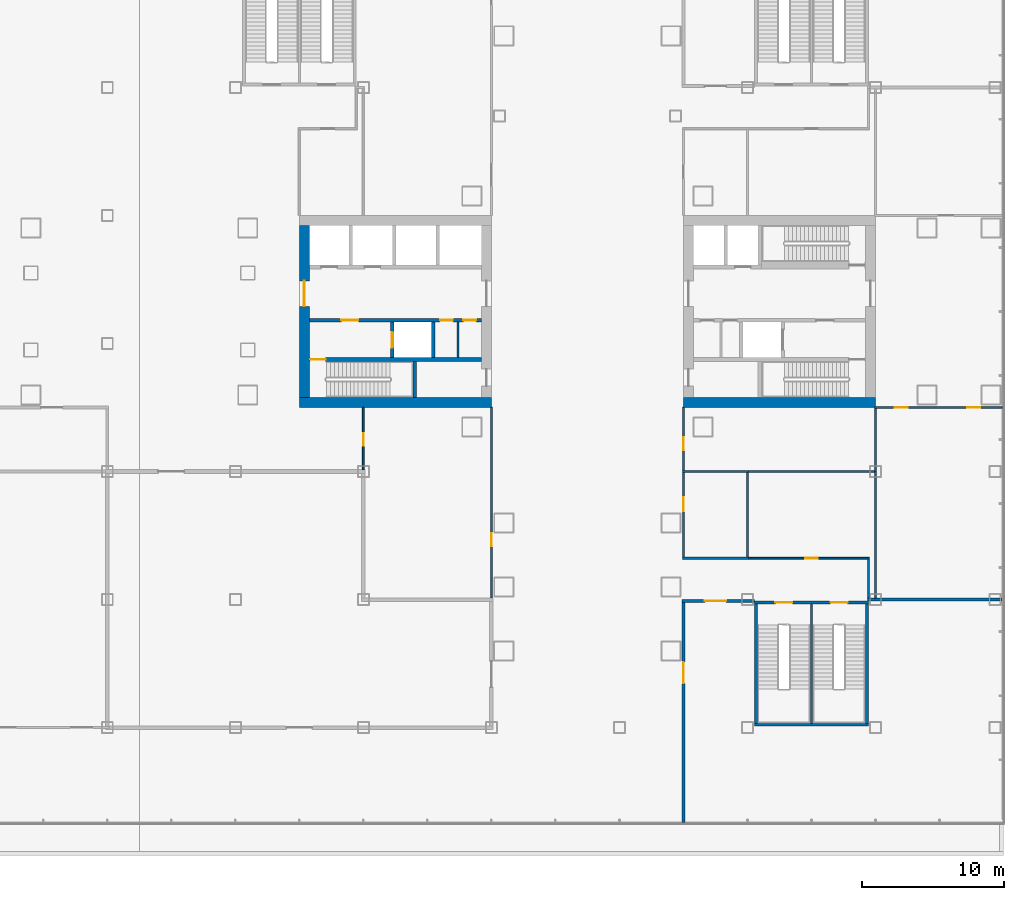
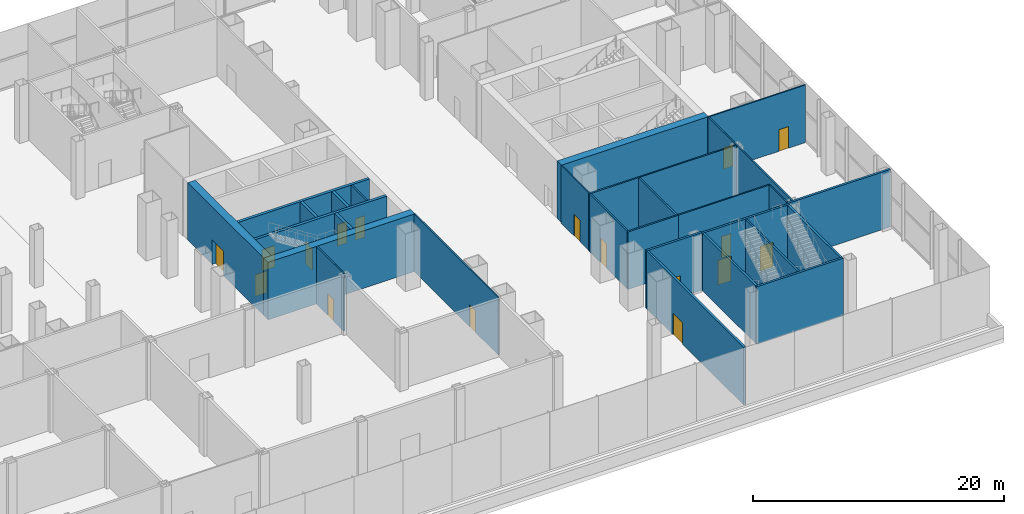
# One storey, part 27 of 38: 29 walls, 17 doors, 17 openings.
"""IFC4 building model written with IfcOpenShell, lengths in metres."""

from ifc_helpers import new_model, si_unit, direction, frame, frame_2d, origin, place, context, subcontext, project, spatial, rectangle, extrude, material, layer, layer_set, type_object, element, fill, save


model = new_model("IFC4")

# Units and contexts
model_context = context("Model", 3, precision=1e-05, world=origin(), true_north=direction((0.0, 1.0)))
body_context = subcontext(model_context, "Body", "Model", "MODEL_VIEW")
ifc_project = project(units=[si_unit("LENGTHUNIT", "METRE"), si_unit("AREAUNIT", "SQUARE_METRE"), si_unit("VOLUMEUNIT", "CUBIC_METRE"), si_unit("PLANEANGLEUNIT", "RADIAN"), si_unit("MASSUNIT", "GRAM", prefix="KILO")], contexts=[model_context])

# Site, building, storey
site_placement = place(None, origin())
site = spatial("IfcSite", under=ifc_project, at=site_placement, CompositionType="ELEMENT")
building_placement = place(site_placement, origin())
building = spatial("IfcBuilding", under=site, at=building_placement, Name="Shamsa Quay Exchange Towers", CompositionType="ELEMENT")
storey_placement = place(building_placement, frame((0.0, 0.0, 12.5)))
storey = spatial("IfcBuildingStorey", under=building, at=storey_placement, Name="L02", CompositionType="ELEMENT", Elevation=12.5)

# Wall, opening, door
ifc_material_1 = material(Name="Double-leaf gypsum board partition with acoustic insulation")
ifc_layer_1 = layer(ifc_material_1, 0.199951171875)
ifc_layer_set_1 = layer_set([ifc_layer_1], Name="Acoustic partition 200 mm EI 60")
wall_type_1 = type_object("IfcWallType", Name="Acoustic partition 200 mm EI 60", PredefinedType="PARTITIONING", material=ifc_layer_set_1)
wall_1_placement = place(storey_placement, frame((40.5, -35.905029296875, 0.0), z_axis=(0.0, 0.0, 1.0), x_axis=(0.0, 1.0, 0.0)))
wall_1 = element("IfcWall", 1, at=wall_1_placement, inside=storey, type_object=wall_type_1, Name="Partition PD-L02-W11", PredefinedType="PARTITIONING", context=body_context, shape_type="SweptSolid", body=[
    extrude(rectangle(XDim=15.455322265625, YDim=0.199951171875, at=frame_2d((7.7275390625, 0.0))), origin(), (0.0, 0.0, 1.0), 5.60009765625),
])
opening_1_placement = place(wall_1_placement, frame((9.755126953125, 0.0, 0.0)))
opening_1 = element("IfcOpeningElement", 2, at=opening_1_placement, cuts=wall_1, Name="Opening PD-L02-D40", PredefinedType="OPENING", context=body_context, shape_type="SweptSolid", body=[
    extrude(rectangle(XDim=1.5, YDim=2.10009765625, at=frame_2d((0.75, 1.050048828125))), frame((0.0, 0.10986328125, 0.0), z_axis=(0.0, -1.0, 0.0), x_axis=(1.0, 0.0, 0.0)), (0.0, 0.0, 1.0), 0.219970703125),
])
ifc_material_2 = material(Name="Timber door leaf in a metal frame", Category="wood")
door_type_1 = type_object("IfcDoorType", Name="Door 1500x2100 FD30S pair", OperationType="NOTDEFINED", PredefinedType="DOOR", material=ifc_material_2)
door_1_placement = place(opening_1_placement, origin())
door_1 = element("IfcDoor", 3, at=door_1_placement, inside=storey, type_object=door_type_1, Name="Door PD-L02-D40", OperationType="DOUBLE_DOOR_SINGLE_SWING", OverallHeight=2.10009765625, OverallWidth=1.5, PredefinedType="DOOR", context=body_context, shape_type="SweptSolid", body=[
    extrude(rectangle(XDim=1.5, YDim=2.10009765625, at=frame_2d((0.75, 1.050048828125))), frame((0.0, 0.02490234375, 0.0), z_axis=(0.0, -1.0, 0.0), x_axis=(1.0, 0.0, 0.0)), (0.0, 0.0, 1.0), 0.050048828125),
])
fill(opening_1, door_1)

wall_2_placement = place(storey_placement, frame((40.39990234375, -20.349609375, 0.0)))
wall_2 = element("IfcWall", 4, at=wall_2_placement, inside=storey, type_object=wall_type_1, Name="Partition PD-L02-W54", PredefinedType="PARTITIONING", context=body_context, shape_type="SweptSolid", body=[
    extrude(rectangle(XDim=5.10009765625, YDim=0.199951171875, at=frame_2d((2.550048828125, 0.0))), origin(), (0.0, 0.0, 1.0), 5.60009765625),
])
opening_2_placement = place(wall_2_placement, frame((1.60009765625, 0.0, 0.0)))
opening_2 = element("IfcOpeningElement", 5, at=opening_2_placement, cuts=wall_2, Name="Opening PD-L02-D41", PredefinedType="OPENING", context=body_context, shape_type="SweptSolid", body=[
    extrude(rectangle(XDim=1.5, YDim=2.10009765625, at=frame_2d((0.75, 1.050048828125))), frame((0.0, 0.10986328125, 0.0), z_axis=(0.0, -1.0, 0.0), x_axis=(1.0, 0.0, 0.0)), (0.0, 0.0, 1.0), 0.219970703125),
])
door_2_placement = place(opening_2_placement, origin())
door_2 = element("IfcDoor", 6, at=door_2_placement, inside=storey, type_object=door_type_1, Name="Door PD-L02-D41", OperationType="DOUBLE_DOOR_SINGLE_SWING", OverallHeight=2.10009765625, OverallWidth=1.5, PredefinedType="DOOR", context=body_context, shape_type="SweptSolid", body=[
    extrude(rectangle(XDim=1.5, YDim=2.10009765625, at=frame_2d((0.75, 1.050048828125))), frame((0.0, 0.02490234375, 0.0), z_axis=(0.0, -1.0, 0.0), x_axis=(1.0, 0.0, 0.0)), (0.0, 0.0, 1.0), 0.050048828125),
])
fill(opening_2, door_2)

# Walls
wall_3_placement = place(storey_placement, frame((62.905029296875, -20.25, 0.0), z_axis=(0.0, 0.0, 1.0), x_axis=(-1.0, 0.0, 0.0)))
element("IfcWall", 7, at=wall_3_placement, inside=storey, type_object=wall_type_1, Name="Partition PD-L02-W66", PredefinedType="PARTITIONING", context=body_context, shape_type="SweptSolid", body=[
    extrude(rectangle(XDim=9.467529296875, YDim=0.199951171875, at=frame_2d((4.73388671875, 0.0))), origin(), (0.0, 0.0, 1.0), 5.60009765625),
])
ifc_material_3 = material(Name="Concrete C80/95", Category="concrete")
ifc_layer_2 = layer(ifc_material_3, 0.699951171875)
ifc_layer_set_2 = layer_set([ifc_layer_2], Name="CORE WALL 700 C80/95")
wall_type_2 = type_object("IfcWallType", Name="CORE WALL 700 C80/95", PredefinedType="SHEAR", material=ifc_layer_set_2)
wall_4_placement = place(storey_placement, frame((13.5, -6.39990234375, 0.0)))
element("IfcWall", 8, at=wall_4_placement, inside=storey, type_object=wall_type_2, Name="Core wall T2A-L02-PS", PredefinedType="SHEAR", context=body_context, shape_type="SweptSolid", body=[
    extrude(rectangle(XDim=13.5, YDim=0.699951171875, at=frame_2d((6.75, 0.0))), origin(), (0.0, 0.0, 1.0), 5.60009765625),
])

# Wall, opening, door
wall_5_placement = place(storey_placement, frame((13.85009765625, 6.050048828125, 0.0), z_axis=(0.0, 0.0, 1.0), x_axis=(0.0, -1.0, 0.0)))
wall_5 = element("IfcWall", 9, at=wall_5_placement, inside=storey, type_object=wall_type_2, Name="Core wall T2A-L02-PF", PredefinedType="SHEAR", context=body_context, shape_type="SweptSolid", body=[
    extrude(rectangle(XDim=12.10009765625, YDim=0.699951171875, at=frame_2d((6.050048828125, 0.0))), origin(), (0.0, 0.0, 1.0), 5.60009765625),
])
opening_3_placement = place(wall_5_placement, frame((3.89990234375, 0.0, 0.0)))
opening_3 = element("IfcOpeningElement", 10, at=opening_3_placement, cuts=wall_5, Name="Opening T2A-L02-LBD01", PredefinedType="OPENING", context=body_context, shape_type="SweptSolid", body=[
    extrude(rectangle(XDim=1.800048828125, YDim=2.39990234375, at=frame_2d((0.89990234375, 1.199951171875))), frame((0.0, 0.35986328125, 0.0), z_axis=(0.0, -1.0, 0.0), x_axis=(1.0, 0.0, 0.0)), (0.0, 0.0, 1.0), 0.719970703125),
])
ifc_material_4 = material(Name="Steel, fire rated", Category="steel")
door_type_2 = type_object("IfcDoorType", Name="LIFT LOBBY DOOR PAIR 1800", OperationType="DOUBLE_DOOR_SINGLE_SWING", PredefinedType="DOOR", material=ifc_material_4)
door_3_placement = place(opening_3_placement, origin())
door_3 = element("IfcDoor", 11, at=door_3_placement, inside=storey, type_object=door_type_2, Name="T2A-L02-LBD01", OperationType="DOUBLE_DOOR_SINGLE_SWING", OverallHeight=2.39990234375, OverallWidth=1.800048828125, PredefinedType="DOOR", context=body_context, shape_type="SweptSolid", body=[
    extrude(rectangle(XDim=1.800048828125, YDim=2.39990234375, at=frame_2d((0.89990234375, 1.199951171875))), frame((0.0, 0.02490234375, 0.0), z_axis=(0.0, -1.0, 0.0), x_axis=(1.0, 0.0, 0.0)), (0.0, 0.0, 1.0), 0.050048828125),
])
fill(opening_3, door_3)

# Walls
wall_6_placement = place(storey_placement, frame((54.0, -6.39990234375, 0.0), z_axis=(0.0, 0.0, 1.0), x_axis=(-1.0, 0.0, 0.0)))
element("IfcWall", 12, at=wall_6_placement, inside=storey, type_object=wall_type_2, Name="Core wall T2B-L02-PS", PredefinedType="SHEAR", context=body_context, shape_type="SweptSolid", body=[
    extrude(rectangle(XDim=13.5, YDim=0.699951171875, at=frame_2d((6.75, 0.0))), origin(), (0.0, 0.0, 1.0), 5.60009765625),
])
ifc_material_5 = material(Name="Gypsum board on steel studs, EI 60", Category="steel")
ifc_layer_3 = layer(ifc_material_5, 0.14990234375)
ifc_layer_set_3 = layer_set([ifc_layer_3], Name="FIRE PARTITION 150")
wall_type_3 = type_object("IfcWallType", Name="FIRE PARTITION 150", PredefinedType="PARTITIONING", material=ifc_layer_set_3)
wall_7_placement = place(storey_placement, frame((24.64990234375, -3.25, 0.0), z_axis=(0.0, 0.0, 1.0), x_axis=(0.0, 1.0, 0.0)))
element("IfcWall", 13, at=wall_7_placement, inside=storey, type_object=wall_type_3, Name="Partition T2A-L02-EC0", PredefinedType="PARTITIONING", context=body_context, shape_type="SweptSolid", body=[
    extrude(rectangle(XDim=2.5, YDim=0.14990234375, at=frame_2d((1.25, 0.0))), origin(), (0.0, 0.0, 1.0), 5.60009765625),
])

# Wall, opening, door
ifc_material_6 = material(Name="Laminated fire-resisting glass in a metal frame", Category="glass")
ifc_layer_4 = layer(ifc_material_6, 0.125)
ifc_layer_set_4 = layer_set([ifc_layer_4], Name="Glazed partition 125 mm EI 60")
wall_type_4 = type_object("IfcWallType", Name="Glazed partition 125 mm EI 60", PredefinedType="PARTITIONING", material=ifc_layer_set_4)
wall_8_placement = place(storey_placement, frame((27.0, -6.75, 0.0), z_axis=(0.0, 0.0, 1.0), x_axis=(0.0, -1.0, 0.0)))
wall_8 = element("IfcWall", 14, at=wall_8_placement, inside=storey, type_object=wall_type_4, Name="Partition PD-L02-W14", PredefinedType="PARTITIONING", context=body_context, shape_type="SweptSolid", body=[
    extrude(rectangle(XDim=13.375, YDim=0.125, at=frame_2d((6.6875, 0.0))), origin(), (0.0, 0.0, 1.0), 5.60009765625),
])
opening_4_placement = place(wall_8_placement, frame((8.85009765625, 0.0, 0.0)))
opening_4 = element("IfcOpeningElement", 15, at=opening_4_placement, cuts=wall_8, Name="Opening PD-L02-D36", PredefinedType="OPENING", context=body_context, shape_type="SweptSolid", body=[
    extrude(rectangle(XDim=0.89990234375, YDim=2.10009765625, at=frame_2d((0.449951171875, 1.050048828125))), frame((0.0, 0.072509765625, 0.0), z_axis=(0.0, -1.0, 0.0), x_axis=(1.0, 0.0, 0.0)), (0.0, 0.0, 1.0), 0.14501953125),
])
door_type_3 = type_object("IfcDoorType", Name="Door 900x2100 FD30S", OperationType="NOTDEFINED", PredefinedType="DOOR", material=ifc_material_2)
door_4_placement = place(opening_4_placement, origin())
door_4 = element("IfcDoor", 16, at=door_4_placement, inside=storey, type_object=door_type_3, Name="Door PD-L02-D36", OperationType="SINGLE_SWING_RIGHT", OverallHeight=2.10009765625, OverallWidth=0.89990234375, PredefinedType="DOOR", context=body_context, shape_type="SweptSolid", body=[
    extrude(rectangle(XDim=0.89990234375, YDim=2.10009765625, at=frame_2d((0.449951171875, 1.050048828125))), frame((0.0, 0.02490234375, 0.0), z_axis=(0.0, -1.0, 0.0), x_axis=(1.0, 0.0, 0.0)), (0.0, 0.0, 1.0), 0.050048828125),
])
fill(opening_4, door_4)

wall_9_placement = place(storey_placement, frame((40.5, -6.75, 0.0), z_axis=(0.0, 0.0, 1.0), x_axis=(0.0, -1.0, 0.0)))
wall_9 = element("IfcWall", 17, at=wall_9_placement, inside=storey, type_object=wall_type_4, Name="Partition PD-L02-W17", PredefinedType="PARTITIONING", context=body_context, shape_type="SweptSolid", body=[
    extrude(rectangle(XDim=4.425048828125, YDim=0.125, at=frame_2d((2.21240234375, 0.0))), origin(), (0.0, 0.0, 1.0), 5.60009765625),
])
opening_5_placement = place(wall_9_placement, frame((2.10009765625, 0.0, 0.0)))
opening_5 = element("IfcOpeningElement", 18, at=opening_5_placement, cuts=wall_9, Name="Opening PD-L02-D43", PredefinedType="OPENING", context=body_context, shape_type="SweptSolid", body=[
    extrude(rectangle(XDim=0.89990234375, YDim=2.10009765625, at=frame_2d((0.449951171875, 1.050048828125))), frame((0.0, 0.072509765625, 0.0), z_axis=(0.0, -1.0, 0.0), x_axis=(1.0, 0.0, 0.0)), (0.0, 0.0, 1.0), 0.14501953125),
])
door_5_placement = place(opening_5_placement, origin())
door_5 = element("IfcDoor", 19, at=door_5_placement, inside=storey, type_object=door_type_3, Name="Door PD-L02-D43", OperationType="SINGLE_SWING_RIGHT", OverallHeight=2.10009765625, OverallWidth=0.89990234375, PredefinedType="DOOR", context=body_context, shape_type="SweptSolid", body=[
    extrude(rectangle(XDim=0.89990234375, YDim=2.10009765625, at=frame_2d((0.449951171875, 1.050048828125))), frame((0.0, 0.02490234375, 0.0), z_axis=(0.0, -1.0, 0.0), x_axis=(1.0, 0.0, 0.0)), (0.0, 0.0, 1.0), 0.050048828125),
])
fill(opening_5, door_5)

# Wall, openings, doors
wall_10_placement = place(storey_placement, frame((53.9375, -6.75, 0.0)))
wall_10 = element("IfcWall", 20, at=wall_10_placement, inside=storey, type_object=wall_type_4, Name="Partition PD-L02-W21", PredefinedType="PARTITIONING", context=body_context, shape_type="SweptSolid", body=[
    extrude(rectangle(XDim=8.967529296875, YDim=0.125, at=frame_2d((4.48388671875, 0.0))), origin(), (0.0, 0.0, 1.0), 5.60009765625),
])
opening_6_placement = place(wall_10_placement, frame((1.41259765625, 0.0, 0.0)))
opening_6 = element("IfcOpeningElement", 21, at=opening_6_placement, cuts=wall_10, Name="Opening PD-L02-D49", PredefinedType="OPENING", context=body_context, shape_type="SweptSolid", body=[
    extrude(rectangle(XDim=0.89990234375, YDim=2.10009765625, at=frame_2d((0.449951171875, 1.050048828125))), frame((0.0, 0.072509765625, 0.0), z_axis=(0.0, -1.0, 0.0), x_axis=(1.0, 0.0, 0.0)), (0.0, 0.0, 1.0), 0.14501953125),
])
opening_7_placement = place(wall_10_placement, frame((6.512451171875, 0.0, 0.0)))
opening_7 = element("IfcOpeningElement", 22, at=opening_7_placement, cuts=wall_10, Name="Opening PD-L02-D50", PredefinedType="OPENING", context=body_context, shape_type="SweptSolid", body=[
    extrude(rectangle(XDim=0.89990234375, YDim=2.10009765625, at=frame_2d((0.449951171875, 1.050048828125))), frame((0.0, 0.072509765625, 0.0), z_axis=(0.0, -1.0, 0.0), x_axis=(1.0, 0.0, 0.0)), (0.0, 0.0, 1.0), 0.14501953125),
])
door_6_placement = place(opening_6_placement, origin())
door_6 = element("IfcDoor", 23, at=door_6_placement, inside=storey, type_object=door_type_3, Name="Door PD-L02-D49", OperationType="SINGLE_SWING_LEFT", OverallHeight=2.10009765625, OverallWidth=0.89990234375, PredefinedType="DOOR", context=body_context, shape_type="SweptSolid", body=[
    extrude(rectangle(XDim=0.89990234375, YDim=2.10009765625, at=frame_2d((0.449951171875, 1.050048828125))), frame((0.0, 0.02490234375, 0.0), z_axis=(0.0, -1.0, 0.0), x_axis=(1.0, 0.0, 0.0)), (0.0, 0.0, 1.0), 0.050048828125),
])
fill(opening_6, door_6)
door_7_placement = place(opening_7_placement, origin())
door_7 = element("IfcDoor", 24, at=door_7_placement, inside=storey, type_object=door_type_3, Name="Door PD-L02-D50", OperationType="SINGLE_SWING_RIGHT", OverallHeight=2.10009765625, OverallWidth=0.89990234375, PredefinedType="DOOR", context=body_context, shape_type="SweptSolid", body=[
    extrude(rectangle(XDim=0.89990234375, YDim=2.10009765625, at=frame_2d((0.449951171875, 1.050048828125))), frame((0.0, 0.02490234375, 0.0), z_axis=(0.0, -1.0, 0.0), x_axis=(1.0, 0.0, 0.0)), (0.0, 0.0, 1.0), 0.050048828125),
])
fill(opening_7, door_7)

# Wall
wall_11_placement = place(storey_placement, frame((53.5, -17.412109375, 0.0), z_axis=(0.0, 0.0, 1.0), x_axis=(0.0, -1.0, 0.0)))
element("IfcWall", 25, at=wall_11_placement, inside=storey, type_object=wall_type_4, Name="Partition PD-L02-W48", PredefinedType="PARTITIONING", context=body_context, shape_type="SweptSolid", body=[
    extrude(rectangle(XDim=2.73779296875, YDim=0.125, at=frame_2d((1.368896484375, 0.0))), origin(), (0.0, 0.0, 1.0), 5.60009765625),
])

# Wall, opening, door
wall_12_placement = place(storey_placement, frame((44.925048828125, -17.349609375, 0.0)))
wall_12 = element("IfcWall", 26, at=wall_12_placement, inside=storey, type_object=wall_type_4, Name="Partition PD-L02-W53", PredefinedType="PARTITIONING", context=body_context, shape_type="SweptSolid", body=[
    extrude(rectangle(XDim=8.637451171875, YDim=0.125, at=frame_2d((4.31884765625, 0.0))), origin(), (0.0, 0.0, 1.0), 5.60009765625),
])
opening_8_placement = place(wall_12_placement, frame((4.125, 0.0, 0.0)))
opening_8 = element("IfcOpeningElement", 27, at=opening_8_placement, cuts=wall_12, Name="Opening PD-L02-D46", PredefinedType="OPENING", context=body_context, shape_type="SweptSolid", body=[
    extrude(rectangle(XDim=0.89990234375, YDim=2.10009765625, at=frame_2d((0.449951171875, 1.050048828125))), frame((0.0, 0.072509765625, 0.0), z_axis=(0.0, -1.0, 0.0), x_axis=(1.0, 0.0, 0.0)), (0.0, 0.0, 1.0), 0.14501953125),
])
door_8_placement = place(opening_8_placement, origin())
door_8 = element("IfcDoor", 28, at=door_8_placement, inside=storey, type_object=door_type_3, Name="Door PD-L02-D46", OperationType="SINGLE_SWING_RIGHT", OverallHeight=2.10009765625, OverallWidth=0.89990234375, PredefinedType="DOOR", context=body_context, shape_type="SweptSolid", body=[
    extrude(rectangle(XDim=0.89990234375, YDim=2.10009765625, at=frame_2d((0.449951171875, 1.050048828125))), frame((0.0, 0.02490234375, 0.0), z_axis=(0.0, -1.0, 0.0), x_axis=(1.0, 0.0, 0.0)), (0.0, 0.0, 1.0), 0.050048828125),
])
fill(opening_8, door_8)

wall_13_placement = place(storey_placement, frame((18.0, -11.125, 0.0), z_axis=(0.0, 0.0, 1.0), x_axis=(0.0, 1.0, 0.0)))
wall_13 = element("IfcWall", 29, at=wall_13_placement, inside=storey, type_object=wall_type_4, Name="Partition PD-L02-W85", PredefinedType="PARTITIONING", context=body_context, shape_type="SweptSolid", body=[
    extrude(rectangle(XDim=4.375, YDim=0.125, at=frame_2d((2.1875, 0.0))), origin(), (0.0, 0.0, 1.0), 5.60009765625),
])
opening_9_placement = place(wall_13_placement, frame((1.675048828125, 0.0, 0.0)))
opening_9 = element("IfcOpeningElement", 30, at=opening_9_placement, cuts=wall_13, Name="Opening PD-L02-D33", PredefinedType="OPENING", context=body_context, shape_type="SweptSolid", body=[
    extrude(rectangle(XDim=0.89990234375, YDim=2.10009765625, at=frame_2d((0.449951171875, 1.050048828125))), frame((0.0, 0.072509765625, 0.0), z_axis=(0.0, -1.0, 0.0), x_axis=(1.0, 0.0, 0.0)), (0.0, 0.0, 1.0), 0.14501953125),
])
door_9_placement = place(opening_9_placement, origin())
door_9 = element("IfcDoor", 31, at=door_9_placement, inside=storey, type_object=door_type_3, Name="Door PD-L02-D33", OperationType="SINGLE_SWING_RIGHT", OverallHeight=2.10009765625, OverallWidth=0.89990234375, PredefinedType="DOOR", context=body_context, shape_type="SweptSolid", body=[
    extrude(rectangle(XDim=0.89990234375, YDim=2.10009765625, at=frame_2d((0.449951171875, 1.050048828125))), frame((0.0, 0.02490234375, 0.0), z_axis=(0.0, -1.0, 0.0), x_axis=(1.0, 0.0, 0.0)), (0.0, 0.0, 1.0), 0.050048828125),
])
fill(opening_9, door_9)

# Walls
wall_14_placement = place(storey_placement, frame((54.0, -6.8125, 0.0), z_axis=(0.0, 0.0, 1.0), x_axis=(0.0, -1.0, 0.0)))
element("IfcWall", 32, at=wall_14_placement, inside=storey, type_object=wall_type_4, Name="Partition PD-L02-W86", PredefinedType="PARTITIONING", context=body_context, shape_type="SweptSolid", body=[
    extrude(rectangle(XDim=13.33740234375, YDim=0.125, at=frame_2d((6.668701171875, 0.0))), origin(), (0.0, 0.0, 1.0), 5.60009765625),
])
wall_15_placement = place(storey_placement, frame((44.925048828125, -11.25, 0.0)))
element("IfcWall", 33, at=wall_15_placement, inside=storey, type_object=wall_type_4, Name="Partition PD-L02-W92", PredefinedType="PARTITIONING", context=body_context, shape_type="SweptSolid", body=[
    extrude(rectangle(XDim=9.012451171875, YDim=0.125, at=frame_2d((4.50634765625, 0.0))), origin(), (0.0, 0.0, 1.0), 5.60009765625),
])

# Wall, opening, door
ifc_material_7 = material(Name="Gypsum board partition on metal studs")
ifc_layer_5 = layer(ifc_material_7, 0.14990234375)
ifc_layer_set_5 = layer_set([ifc_layer_5], Name="Partition 150 mm EI 60")
wall_type_5 = type_object("IfcWallType", Name="Partition 150 mm EI 60", PredefinedType="PARTITIONING", material=ifc_layer_set_5)
wall_16_placement = place(storey_placement, frame((40.5, -11.324951171875, 0.0), z_axis=(0.0, 0.0, 1.0), x_axis=(0.0, -1.0, 0.0)))
wall_16 = element("IfcWall", 34, at=wall_16_placement, inside=storey, type_object=wall_type_5, Name="Partition PD-L02-W18", PredefinedType="PARTITIONING", context=body_context, shape_type="SweptSolid", body=[
    extrude(rectangle(XDim=5.94970703125, YDim=0.14990234375, at=frame_2d((2.974853515625, 0.0))), origin(), (0.0, 0.0, 1.0), 5.60009765625),
])
opening_10_placement = place(wall_16_placement, frame((1.724853515625, 0.0, 0.0)))
opening_10 = element("IfcOpeningElement", 35, at=opening_10_placement, cuts=wall_16, Name="Opening PD-L02-D42", PredefinedType="OPENING", context=body_context, shape_type="SweptSolid", body=[
    extrude(rectangle(XDim=1.0, YDim=2.39990234375, at=frame_2d((0.5, 1.199951171875))), frame((0.0, 0.0849609375, 0.0), z_axis=(0.0, -1.0, 0.0), x_axis=(1.0, 0.0, 0.0)), (0.0, 0.0, 1.0), 0.169921875),
])
door_type_4 = type_object("IfcDoorType", Name="Door 1000x2400 FD30S", OperationType="NOTDEFINED", PredefinedType="DOOR", material=ifc_material_2)
door_10_placement = place(opening_10_placement, origin())
door_10 = element("IfcDoor", 36, at=door_10_placement, inside=storey, type_object=door_type_4, Name="Door PD-L02-D42", OperationType="SINGLE_SWING_LEFT", OverallHeight=2.39990234375, OverallWidth=1.0, PredefinedType="DOOR", context=body_context, shape_type="SweptSolid", body=[
    extrude(rectangle(XDim=1.0, YDim=2.39990234375, at=frame_2d((0.5, 1.199951171875))), frame((0.0, 0.02490234375, 0.0), z_axis=(0.0, -1.0, 0.0), x_axis=(1.0, 0.0, 0.0)), (0.0, 0.0, 1.0), 0.050048828125),
])
fill(opening_10, door_10)

# Walls
for number, where, name in (
    (37, (40.425048828125, -17.349609375, 0.0), "Partition PD-L02-W55"),
    (38, (40.425048828125, -11.25, 0.0), "Partition PD-L02-W93"),
):
    element("IfcWall", number, at=place(storey_placement, frame(where)), inside=storey, type_object=wall_type_5, Name=name, PredefinedType="PARTITIONING", context=body_context, shape_type="SweptSolid", body=[
        extrude(rectangle(XDim=4.64990234375, YDim=0.14990234375, at=frame_2d((2.324951171875, 0.0))), origin(), (0.0, 0.0, 1.0), 5.60009765625),
    ])
wall_17_placement = place(storey_placement, frame((45.0, -11.324951171875, 0.0), z_axis=(0.0, 0.0, 1.0), x_axis=(0.0, -1.0, 0.0)))
element("IfcWall", 39, at=wall_17_placement, inside=storey, type_object=wall_type_5, Name="Partition PD-L02-W94", PredefinedType="PARTITIONING", context=body_context, shape_type="SweptSolid", body=[
    extrude(rectangle(XDim=5.94970703125, YDim=0.14990234375, at=frame_2d((2.974853515625, 0.0))), origin(), (0.0, 0.0, 1.0), 5.60009765625),
])

# Wall, opening, door
ifc_material_8 = material(Name="Concrete C50/60", Category="concrete")
ifc_layer_6 = layer(ifc_material_8, 0.25)
ifc_layer_set_6 = layer_set([ifc_layer_6], Name="SHAFT WALL 250 C50/60")
wall_type_6 = type_object("IfcWallType", Name="SHAFT WALL 250 C50/60", PredefinedType="SHEAR", material=ifc_layer_set_6)
wall_18_placement = place(storey_placement, frame((26.300048828125, -3.375, 0.0), z_axis=(0.0, 0.0, 1.0), x_axis=(-1.0, 0.0, 0.0)))
wall_18 = element("IfcWall", 40, at=wall_18_placement, inside=storey, type_object=wall_type_6, Name="Shaft wall T2A-L02-STL", PredefinedType="SHEAR", context=body_context, shape_type="SweptSolid", body=[
    extrude(rectangle(XDim=12.10009765625, YDim=0.25, at=frame_2d((6.050048828125, 0.0))), origin(), (0.0, 0.0, 1.0), 5.60009765625),
])
opening_11_placement = place(wall_18_placement, frame((10.949951171875, 0.0, 0.0)))
opening_11 = element("IfcOpeningElement", 41, at=opening_11_placement, cuts=wall_18, Name="Opening T2A-L02-SD04", PredefinedType="OPENING", context=body_context, shape_type="SweptSolid", body=[
    extrude(rectangle(XDim=1.10009765625, YDim=2.10009765625, at=frame_2d((0.550048828125, 1.050048828125))), frame((0.0, 0.135009765625, 0.0), z_axis=(0.0, -1.0, 0.0), x_axis=(1.0, 0.0, 0.0)), (0.0, 0.0, 1.0), 0.27001953125),
])
door_type_5 = type_object("IfcDoorType", Name="STAIR DOOR 1100", OperationType="SINGLE_SWING_LEFT", PredefinedType="DOOR", material=ifc_material_4)
door_11_placement = place(opening_11_placement, origin())
door_11 = element("IfcDoor", 42, at=door_11_placement, inside=storey, type_object=door_type_5, Name="T2A-L02-SD04", OperationType="SINGLE_SWING_RIGHT", OverallHeight=2.10009765625, OverallWidth=1.10009765625, PredefinedType="DOOR", context=body_context, shape_type="SweptSolid", body=[
    extrude(rectangle(XDim=1.10009765625, YDim=2.10009765625, at=frame_2d((0.550048828125, 1.050048828125))), frame((0.0, 0.02490234375, 0.0), z_axis=(0.0, -1.0, 0.0), x_axis=(1.0, 0.0, 0.0)), (0.0, 0.0, 1.0), 0.050048828125),
])
fill(opening_11, door_11)

# Wall
wall_19_placement = place(storey_placement, frame((21.625, -6.050048828125, 0.0), z_axis=(0.0, 0.0, 1.0), x_axis=(0.0, 1.0, 0.0)))
element("IfcWall", 43, at=wall_19_placement, inside=storey, type_object=wall_type_6, Name="Shaft wall T2A-L02-STF", PredefinedType="SHEAR", context=body_context, shape_type="SweptSolid", body=[
    extrude(rectangle(XDim=2.550048828125, YDim=0.25, at=frame_2d((1.27490234375, 0.0))), origin(), (0.0, 0.0, 1.0), 5.60009765625),
])

# Wall, openings, doors
wall_20_placement = place(storey_placement, frame((26.300048828125, -0.625, 0.0), z_axis=(0.0, 0.0, 1.0), x_axis=(-1.0, 0.0, 0.0)))
wall_20 = element("IfcWall", 44, at=wall_20_placement, inside=storey, type_object=wall_type_6, Name="Shaft wall T2A-L02-B", PredefinedType="SHEAR", context=body_context, shape_type="SweptSolid", body=[
    extrude(rectangle(XDim=12.10009765625, YDim=0.25, at=frame_2d((6.050048828125, 0.0))), origin(), (0.0, 0.0, 1.0), 5.60009765625),
])
opening_12_placement = place(wall_20_placement, frame((8.64990234375, 0.0, 0.0)))
opening_12 = element("IfcOpeningElement", 45, at=opening_12_placement, cuts=wall_20, Name="Opening T2A-L02-FD05", PredefinedType="OPENING", context=body_context, shape_type="SweptSolid", body=[
    extrude(rectangle(XDim=1.199951171875, YDim=2.10009765625, at=frame_2d((0.60009765625, 1.050048828125))), frame((0.0, 0.135009765625, 0.0), z_axis=(0.0, -1.0, 0.0), x_axis=(1.0, 0.0, 0.0)), (0.0, 0.0, 1.0), 0.27001953125),
])
opening_13_placement = place(wall_20_placement, frame((2.0, 0.0, 0.0)))
opening_13 = element("IfcOpeningElement", 46, at=opening_13_placement, cuts=wall_20, Name="Opening T2A-L02-SV06", PredefinedType="OPENING", context=body_context, shape_type="SweptSolid", body=[
    extrude(rectangle(XDim=0.89990234375, YDim=2.10009765625, at=frame_2d((0.449951171875, 1.050048828125))), frame((0.0, 0.135009765625, 0.0), z_axis=(0.0, -1.0, 0.0), x_axis=(1.0, 0.0, 0.0)), (0.0, 0.0, 1.0), 0.27001953125),
])
opening_14_placement = place(wall_20_placement, frame((0.375, 0.0, 0.0)))
opening_14 = element("IfcOpeningElement", 47, at=opening_14_placement, cuts=wall_20, Name="Opening T2A-L02-SV07", PredefinedType="OPENING", context=body_context, shape_type="SweptSolid", body=[
    extrude(rectangle(XDim=0.89990234375, YDim=2.10009765625, at=frame_2d((0.449951171875, 1.050048828125))), frame((0.0, 0.135009765625, 0.0), z_axis=(0.0, -1.0, 0.0), x_axis=(1.0, 0.0, 0.0)), (0.0, 0.0, 1.0), 0.27001953125),
])
door_type_6 = type_object("IfcDoorType", Name="FIRE SERVICE LOBBY DOOR 1200", OperationType="SINGLE_SWING_LEFT", PredefinedType="DOOR", material=ifc_material_4)
door_12_placement = place(opening_12_placement, origin())
door_12 = element("IfcDoor", 48, at=door_12_placement, inside=storey, type_object=door_type_6, Name="T2A-L02-FD05", OperationType="SINGLE_SWING_RIGHT", OverallHeight=2.10009765625, OverallWidth=1.199951171875, PredefinedType="DOOR", context=body_context, shape_type="SweptSolid", body=[
    extrude(rectangle(XDim=1.199951171875, YDim=2.10009765625, at=frame_2d((0.60009765625, 1.050048828125))), frame((0.0, 0.02490234375, 0.0), z_axis=(0.0, -1.0, 0.0), x_axis=(1.0, 0.0, 0.0)), (0.0, 0.0, 1.0), 0.050048828125),
])
fill(opening_12, door_12)
door_type_7 = type_object("IfcDoorType", Name="SERVICE ROOM DOOR 900", OperationType="SINGLE_SWING_LEFT", PredefinedType="DOOR", material=ifc_material_4)
door_13_placement = place(opening_13_placement, origin())
door_13 = element("IfcDoor", 49, at=door_13_placement, inside=storey, type_object=door_type_7, Name="T2A-L02-SV06", OperationType="SINGLE_SWING_LEFT", OverallHeight=2.10009765625, OverallWidth=0.89990234375, PredefinedType="DOOR", context=body_context, shape_type="SweptSolid", body=[
    extrude(rectangle(XDim=0.89990234375, YDim=2.10009765625, at=frame_2d((0.449951171875, 1.050048828125))), frame((0.0, 0.02490234375, 0.0), z_axis=(0.0, -1.0, 0.0), x_axis=(1.0, 0.0, 0.0)), (0.0, 0.0, 1.0), 0.050048828125),
])
fill(opening_13, door_13)
door_14_placement = place(opening_14_placement, origin())
door_14 = element("IfcDoor", 50, at=door_14_placement, inside=storey, type_object=door_type_7, Name="T2A-L02-SV07", OperationType="SINGLE_SWING_LEFT", OverallHeight=2.10009765625, OverallWidth=0.89990234375, PredefinedType="DOOR", context=body_context, shape_type="SweptSolid", body=[
    extrude(rectangle(XDim=0.89990234375, YDim=2.10009765625, at=frame_2d((0.449951171875, 1.050048828125))), frame((0.0, 0.02490234375, 0.0), z_axis=(0.0, -1.0, 0.0), x_axis=(1.0, 0.0, 0.0)), (0.0, 0.0, 1.0), 0.050048828125),
])
fill(opening_14, door_14)

# Wall, opening, door
wall_21_placement = place(storey_placement, frame((20.02490234375, -3.25, 0.0), z_axis=(0.0, 0.0, 1.0), x_axis=(0.0, 1.0, 0.0)))
wall_21 = element("IfcWall", 51, at=wall_21_placement, inside=storey, type_object=wall_type_6, Name="Shaft wall T2A-L02-FFF", PredefinedType="SHEAR", context=body_context, shape_type="SweptSolid", body=[
    extrude(rectangle(XDim=2.5, YDim=0.25, at=frame_2d((1.25, 0.0))), origin(), (0.0, 0.0, 1.0), 5.60009765625),
])
opening_15_placement = place(wall_21_placement, frame((0.699951171875, 0.0, 0.0)))
opening_15 = element("IfcOpeningElement", 52, at=opening_15_placement, cuts=wall_21, Name="Opening T2A-L02-LDF08", PredefinedType="OPENING", context=body_context, shape_type="SweptSolid", body=[
    extrude(rectangle(XDim=1.10009765625, YDim=2.10009765625, at=frame_2d((0.550048828125, 1.050048828125))), frame((0.0, 0.135009765625, 0.0), z_axis=(0.0, -1.0, 0.0), x_axis=(1.0, 0.0, 0.0)), (0.0, 0.0, 1.0), 0.27001953125),
])
door_type_8 = type_object("IfcDoorType", Name="FIRE SERVICE LANDING DOOR 1100", OperationType="SLIDING_TO_LEFT", PredefinedType="DOOR", material=ifc_material_4)
door_15_placement = place(opening_15_placement, origin())
door_15 = element("IfcDoor", 53, at=door_15_placement, inside=storey, type_object=door_type_8, Name="T2A-L02-LDF08", OperationType="SLIDING_TO_LEFT", OverallHeight=2.10009765625, OverallWidth=1.10009765625, PredefinedType="DOOR", context=body_context, shape_type="SweptSolid", body=[
    extrude(rectangle(XDim=1.10009765625, YDim=2.10009765625, at=frame_2d((0.550048828125, 1.050048828125))), frame((0.0, 0.02490234375, 0.0), z_axis=(0.0, -1.0, 0.0), x_axis=(1.0, 0.0, 0.0)), (0.0, 0.0, 1.0), 0.050048828125),
])
fill(opening_15, door_15)

# Wall
wall_22_placement = place(storey_placement, frame((22.925048828125, -3.25, 0.0), z_axis=(0.0, 0.0, 1.0), x_axis=(0.0, 1.0, 0.0)))
element("IfcWall", 54, at=wall_22_placement, inside=storey, type_object=wall_type_6, Name="Shaft wall T2A-L02-FFB", PredefinedType="SHEAR", context=body_context, shape_type="SweptSolid", body=[
    extrude(rectangle(XDim=2.5, YDim=0.25, at=frame_2d((1.25, 0.0))), origin(), (0.0, 0.0, 1.0), 5.60009765625),
])

# Wall, openings, doors
ifc_layer_7 = layer(ifc_material_8, 0.199951171875)
ifc_layer_set_7 = layer_set([ifc_layer_7], Name="STAIR ENCLOSURE WALL 200 C50/60")
wall_type_7 = type_object("IfcWallType", Name="STAIR ENCLOSURE WALL 200 C50/60", PredefinedType="SHEAR", material=ifc_layer_set_7)
wall_23_placement = place(storey_placement, frame((53.5, -20.449951171875, 0.0), z_axis=(0.0, 0.0, 1.0), x_axis=(-1.0, 0.0, 0.0)))
wall_23 = element("IfcWall", 55, at=wall_23_placement, inside=storey, type_object=wall_type_7, Name="Stair enclosure wall PS6 inward", PredefinedType="SHEAR", context=body_context, shape_type="SweptSolid", body=[
    extrude(rectangle(XDim=8.0, YDim=0.199951171875, at=frame_2d((4.0, 0.0))), origin(), (0.0, 0.0, 1.0), 5.60009765625),
])
opening_16_placement = place(wall_23_placement, frame((5.33740234375, 0.0, 0.0)))
opening_16 = element("IfcOpeningElement", 56, at=opening_16_placement, cuts=wall_23, Name="Opening PS6A-L02-SD01", PredefinedType="OPENING", context=body_context, shape_type="SweptSolid", body=[
    extrude(rectangle(XDim=1.199951171875, YDim=2.39990234375, at=frame_2d((0.60009765625, 1.199951171875))), frame((0.0, 0.10986328125, 0.0), z_axis=(0.0, -1.0, 0.0), x_axis=(1.0, 0.0, 0.0)), (0.0, 0.0, 1.0), 0.219970703125),
])
opening_17_placement = place(wall_23_placement, frame((1.46240234375, 0.0, 0.0)))
opening_17 = element("IfcOpeningElement", 57, at=opening_17_placement, cuts=wall_23, Name="Opening PS6B-L02-SD01", PredefinedType="OPENING", context=body_context, shape_type="SweptSolid", body=[
    extrude(rectangle(XDim=1.199951171875, YDim=2.39990234375, at=frame_2d((0.60009765625, 1.199951171875))), frame((0.0, 0.10986328125, 0.0), z_axis=(0.0, -1.0, 0.0), x_axis=(1.0, 0.0, 0.0)), (0.0, 0.0, 1.0), 0.219970703125),
])
door_type_9 = type_object("IfcDoorType", Name="PODIUM STAIR DOOR 1200", OperationType="SINGLE_SWING_LEFT", PredefinedType="DOOR", material=ifc_material_4)
door_16_placement = place(opening_16_placement, origin())
door_16 = element("IfcDoor", 58, at=door_16_placement, inside=storey, type_object=door_type_9, Name="PS6A-L02-SD01", OperationType="SINGLE_SWING_LEFT", OverallHeight=2.39990234375, OverallWidth=1.199951171875, PredefinedType="DOOR", context=body_context, shape_type="SweptSolid", body=[
    extrude(rectangle(XDim=1.199951171875, YDim=2.39990234375, at=frame_2d((0.60009765625, 1.199951171875))), frame((0.0, 0.02490234375, 0.0), z_axis=(0.0, -1.0, 0.0), x_axis=(1.0, 0.0, 0.0)), (0.0, 0.0, 1.0), 0.050048828125),
])
fill(opening_16, door_16)
door_17_placement = place(opening_17_placement, origin())
door_17 = element("IfcDoor", 59, at=door_17_placement, inside=storey, type_object=door_type_9, Name="PS6B-L02-SD01", OperationType="SINGLE_SWING_RIGHT", OverallHeight=2.39990234375, OverallWidth=1.199951171875, PredefinedType="DOOR", context=body_context, shape_type="SweptSolid", body=[
    extrude(rectangle(XDim=1.199951171875, YDim=2.39990234375, at=frame_2d((0.60009765625, 1.199951171875))), frame((0.0, 0.02490234375, 0.0), z_axis=(0.0, -1.0, 0.0), x_axis=(1.0, 0.0, 0.0)), (0.0, 0.0, 1.0), 0.050048828125),
])
fill(opening_17, door_17)

# Walls
wall_24_placement = place(storey_placement, frame((45.5, -29.050048828125, 0.0)))
element("IfcWall", 60, at=wall_24_placement, inside=storey, type_object=wall_type_7, Name="Stair enclosure wall PS6 outward", PredefinedType="SHEAR", context=body_context, shape_type="SweptSolid", body=[
    extrude(rectangle(XDim=8.0, YDim=0.199951171875, at=frame_2d((4.0, 0.0))), origin(), (0.0, 0.0, 1.0), 5.60009765625),
])
for number, where, z_axis, x_axis, name in (
    (61, (45.60009765625, -28.949951171875, 0.0), (0.0, 0.0, 1.0), (0.0, 1.0, 0.0), "Stair enclosure wall PS6 west"),
    (62, (53.39990234375, -28.949951171875, 0.0), (0.0, 0.0, 1.0), (0.0, 1.0, 0.0), "Stair enclosure wall PS6 east"),
):
    element("IfcWall", number, at=place(storey_placement, frame(where, z_axis=z_axis, x_axis=x_axis)), inside=storey, type_object=wall_type_7, Name=name, PredefinedType="SHEAR", context=body_context, shape_type="SweptSolid", body=[
        extrude(rectangle(XDim=8.39990234375, YDim=0.199951171875, at=frame_2d((4.199951171875, 0.0))), origin(), (0.0, 0.0, 1.0), 5.60009765625),
    ])
ifc_layer_8 = layer(ifc_material_8, 0.14990234375)
ifc_layer_set_8 = layer_set([ifc_layer_8], Name="STAIR PARTITION WALL 150 C50/60")
wall_type_8 = type_object("IfcWallType", Name="STAIR PARTITION WALL 150 C50/60", PredefinedType="SHEAR", material=ifc_layer_set_8)
wall_25_placement = place(storey_placement, frame((49.5, -28.949951171875, 0.0), z_axis=(0.0, 0.0, 1.0), x_axis=(0.0, 1.0, 0.0)))
element("IfcWall", 63, at=wall_25_placement, inside=storey, type_object=wall_type_8, Name="Stair enclosure wall PS6 between the stairs", PredefinedType="SHEAR", context=body_context, shape_type="SweptSolid", body=[
    extrude(rectangle(XDim=8.39990234375, YDim=0.14990234375, at=frame_2d((4.199951171875, 0.0))), origin(), (0.0, 0.0, 1.0), 5.60009765625),
])

save(model, "model.ifc")
